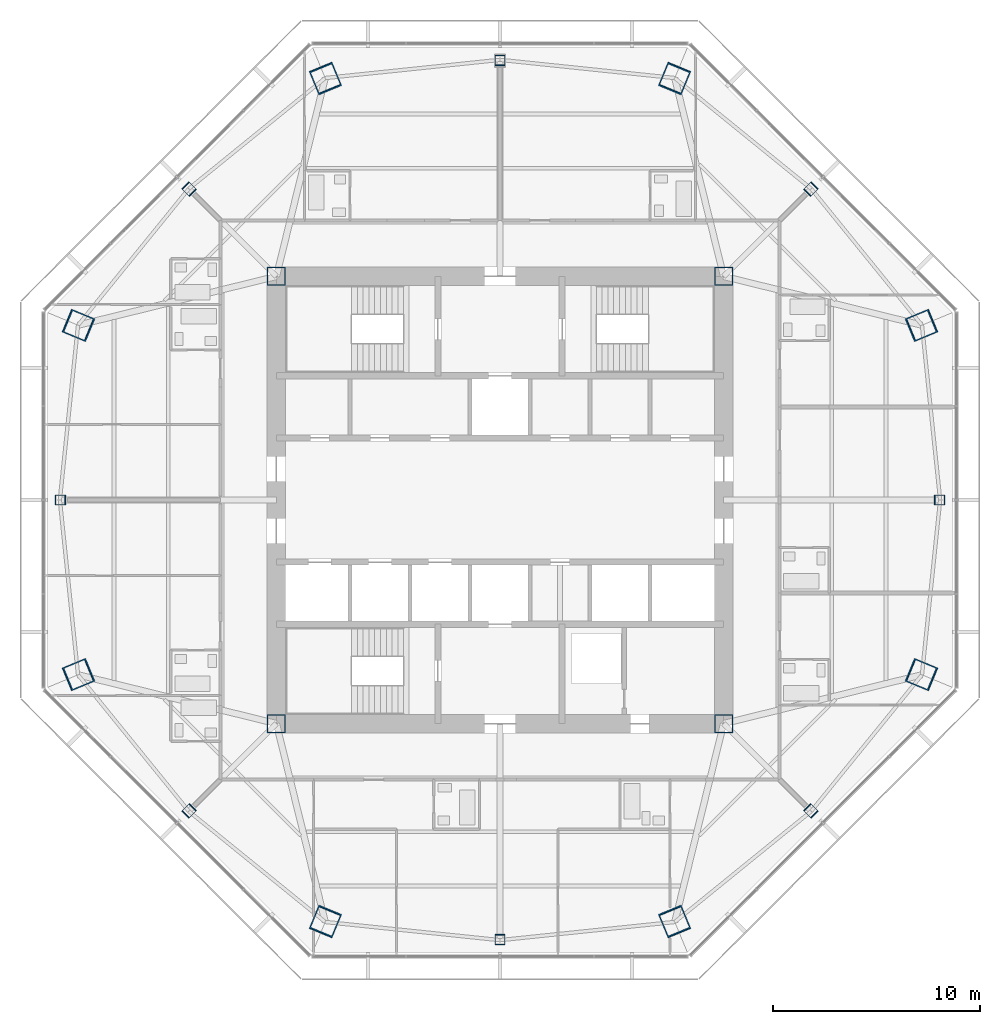
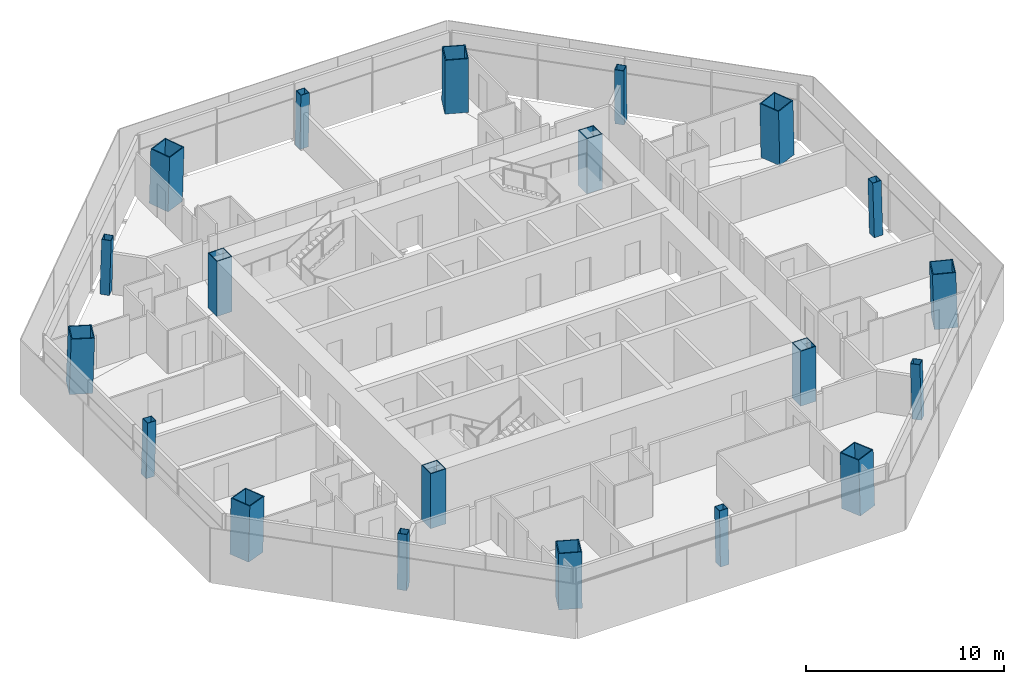
# One storey, part 1 of 15: 20 columns.
"""IFC4 building model written with IfcOpenShell, lengths in metres."""

from ifc_helpers import new_model, si_unit, direction, frame, origin, origin_2d, place, context, subcontext, project, spatial, hollow_rectangle, extrude, material, material_profile, profile_set, type_object, element, save


model = new_model("IFC4")

# Units and contexts
model_context = context("Model", 3, precision=1e-05, world=origin(), true_north=direction((0.0, 1.0)))
body_context = subcontext(model_context, "Body", "Model", "MODEL_VIEW")
ifc_project = project(units=[si_unit("LENGTHUNIT", "METRE"), si_unit("AREAUNIT", "SQUARE_METRE"), si_unit("VOLUMEUNIT", "CUBIC_METRE"), si_unit("PLANEANGLEUNIT", "RADIAN"), si_unit("MASSUNIT", "GRAM", prefix="KILO")], contexts=[model_context])

# Site, building, storey
site_placement = place(None, origin())
site = spatial("IfcSite", under=ifc_project, at=site_placement, CompositionType="ELEMENT")
building_placement = place(site_placement, origin())
building = spatial("IfcBuilding", under=site, at=building_placement, Name="Mashrafa Tower", CompositionType="ELEMENT")
storey_placement = place(building_placement, frame((0.0, 0.0, 210.800048828125)))
storey = spatial("IfcBuildingStorey", under=building, at=storey_placement, Name="L48", CompositionType="ELEMENT", Elevation=210.800048828125)

# Columns
ifc_material_1 = material(Name="Steel ASTM A572 Gr 50", Category="steel")
ifc_material_profile_1 = material_profile(ifc_material_1, hollow_rectangle(XDim=0.89990234375, YDim=0.89990234375, WallThickness=0.050048828125, at=origin_2d()), Name="BOX900X900X50")
ifc_profile_set_1 = profile_set([ifc_material_profile_1], Name="Steel ASTM A572 Gr 50")
column_type_1 = type_object("IfcColumnType", Name="Core corner column BOX900X900X50", PredefinedType="COLUMN", material=ifc_profile_set_1)
for number, where, z_axis, x_axis, name in (
    (1, (10.800048828125, 10.800048828125, 0.0), (0.0, 0.0, 1.0), (1.0, 0.0, 0.0), "Core corner column CC-NE L48"),
    (2, (-10.800048828125, 10.800048828125, 0.0), (0.0, 0.0, 1.0), (1.0, 0.0, 0.0), "Core corner column CC-NW L48"),
    (3, (-10.800048828125, -10.800048828125, 0.0), (0.0, 0.0, 1.0), (1.0, 0.0, 0.0), "Core corner column CC-SW L48"),
    (4, (10.800048828125, -10.800048828125, 0.0), (0.0, 0.0, 1.0), (1.0, 0.0, 0.0), "Core corner column CC-SE L48"),
):
    element("IfcColumn", number, at=place(storey_placement, frame(where, z_axis=z_axis, x_axis=x_axis)), inside=storey, type_object=column_type_1, Name=name, PredefinedType="COLUMN", context=body_context, shape_type="SweptSolid", body=[
        extrude(hollow_rectangle(XDim=0.89990234375, YDim=0.89990234375, WallThickness=0.050048828125, at=origin_2d()), origin(), (0.0, 0.0, 1.0), 3.39990234375),
    ])
ifc_material_2 = material(Name="Steel ASTM A572 Gr 50", Category="steel")
ifc_material_profile_2 = material_profile(ifc_material_2, hollow_rectangle(XDim=1.199951171875, YDim=1.199951171875, WallThickness=0.054931640625, at=origin_2d()), Name="BOX1200X1200X55")
ifc_profile_set_2 = profile_set([ifc_material_profile_2], Name="Steel ASTM A572 Gr 50")
column_type_2 = type_object("IfcColumnType", Name="Mega column CFST BOX1200X1200X55", PredefinedType="COLUMN", material=ifc_profile_set_2)
for number, where, z_axis, x_axis, name in (
    (5, (20.373291015625, 8.43896484375, 0.0), (-0.02827915051, -0.01169924247, 0.999531598986), (0.382282742426, -0.924045401938, 0.0), "Mega column MC1 L48"),
    (6, (8.43896484375, 20.373291015625, 0.0), (-0.01169924247, -0.02827915051, 0.999531598986), (0.924045401938, -0.382282742426, 0.0), "Mega column MC2 L48"),
    (7, (-8.43896484375, 20.373291015625, 0.0), (0.01169924247, -0.02827915051, 0.999531598986), (0.924045401938, 0.382282742426, 0.0), "Mega column MC3 L48"),
    (8, (-20.373291015625, 8.43896484375, 0.0), (0.02827915051, -0.01169924247, 0.999531598986), (0.382282742426, 0.924045401938, 0.0), "Mega column MC4 L48"),
    (9, (-20.373291015625, -8.43896484375, 0.0), (0.02827915051, 0.01169924247, 0.999531598986), (-0.382282742426, 0.924045401938, 0.0), "Mega column MC5 L48"),
    (10, (-8.43896484375, -20.373291015625, 0.0), (0.01169924247, 0.02827915051, 0.999531598986), (-0.924045401938, 0.382282742426, 0.0), "Mega column MC6 L48"),
    (11, (8.43896484375, -20.373291015625, 0.0), (-0.01169924247, 0.02827915051, 0.999531598986), (-0.924045401938, -0.382282742426, 0.0), "Mega column MC7 L48"),
    (12, (20.373291015625, -8.43896484375, 0.0), (-0.02827915051, 0.01169924247, 0.999531598986), (-0.382282742426, -0.924045401938, 0.0), "Mega column MC8 L48"),
):
    element("IfcColumn", number, at=place(storey_placement, frame(where, z_axis=z_axis, x_axis=x_axis)), inside=storey, type_object=column_type_2, Name=name, PredefinedType="COLUMN", context=body_context, shape_type="SweptSolid", body=[
        extrude(hollow_rectangle(XDim=1.199951171875, YDim=1.199951171875, WallThickness=0.054931640625, at=origin_2d()), origin(), (0.0, 0.0, 1.0), 3.401611328125),
    ])
ifc_material_3 = material(Name="Steel ASTM A572 Gr 50", Category="steel")
ifc_material_profile_3 = material_profile(ifc_material_3, hollow_rectangle(XDim=0.5, YDim=0.5, WallThickness=0.02490234375, at=origin_2d()), Name="BOX500X500X25")
ifc_profile_set_3 = profile_set([ifc_material_profile_3], Name="Steel ASTM A572 Gr 50")
column_type_3 = type_object("IfcColumnType", Name="Secondary column BOX500X500X25", PredefinedType="COLUMN", material=ifc_profile_set_3)
for number, where, z_axis, x_axis, name in (
    (13, (21.25146484375, 0.0, 0.0), (-0.028281086024, 0.0, 0.999600010091), (0.0, -1.0, 0.0), "Secondary column SC1 L48"),
    (14, (15.027099609375, 15.027099609375, 0.0), (-0.020026431307, -0.020026431307, 0.999598861593), (0.707106781187, -0.707106781187, 0.0), "Secondary column SC2 L48"),
    (15, (0.0, 21.25146484375, 0.0), (0.0, -0.028281086024, 0.999600010091), (1.0, 0.0, 0.0), "Secondary column SC3 L48"),
    (16, (-15.027099609375, 15.027099609375, 0.0), (0.020026431307, -0.020026431307, 0.999598861593), (0.707106781187, 0.707106781187, 0.0), "Secondary column SC4 L48"),
    (17, (-21.25146484375, 0.0, 0.0), (0.028281086024, 0.0, 0.999600010091), (0.0, 1.0, 0.0), "Secondary column SC5 L48"),
    (18, (-15.027099609375, -15.027099609375, 0.0), (0.020026431307, 0.020026431307, 0.999598861593), (-0.707106781187, 0.707106781187, 0.0), "Secondary column SC6 L48"),
    (19, (0.0, -21.25146484375, 0.0), (0.0, 0.028281086024, 0.999600010091), (-1.0, 0.0, 0.0), "Secondary column SC7 L48"),
    (20, (15.027099609375, -15.027099609375, 0.0), (-0.020026431307, 0.020026431307, 0.999598861593), (-0.707106781187, -0.707106781187, 0.0), "Secondary column SC8 L48"),
):
    element("IfcColumn", number, at=place(storey_placement, frame(where, z_axis=z_axis, x_axis=x_axis)), inside=storey, type_object=column_type_3, Name=name, PredefinedType="COLUMN", context=body_context, shape_type="SweptSolid", body=[
        extrude(hollow_rectangle(XDim=0.5, YDim=0.5, WallThickness=0.02490234375, at=origin_2d()), origin(), (0.0, 0.0, 1.0), 3.4013671875),
    ])

save(model, "model.ifc")
